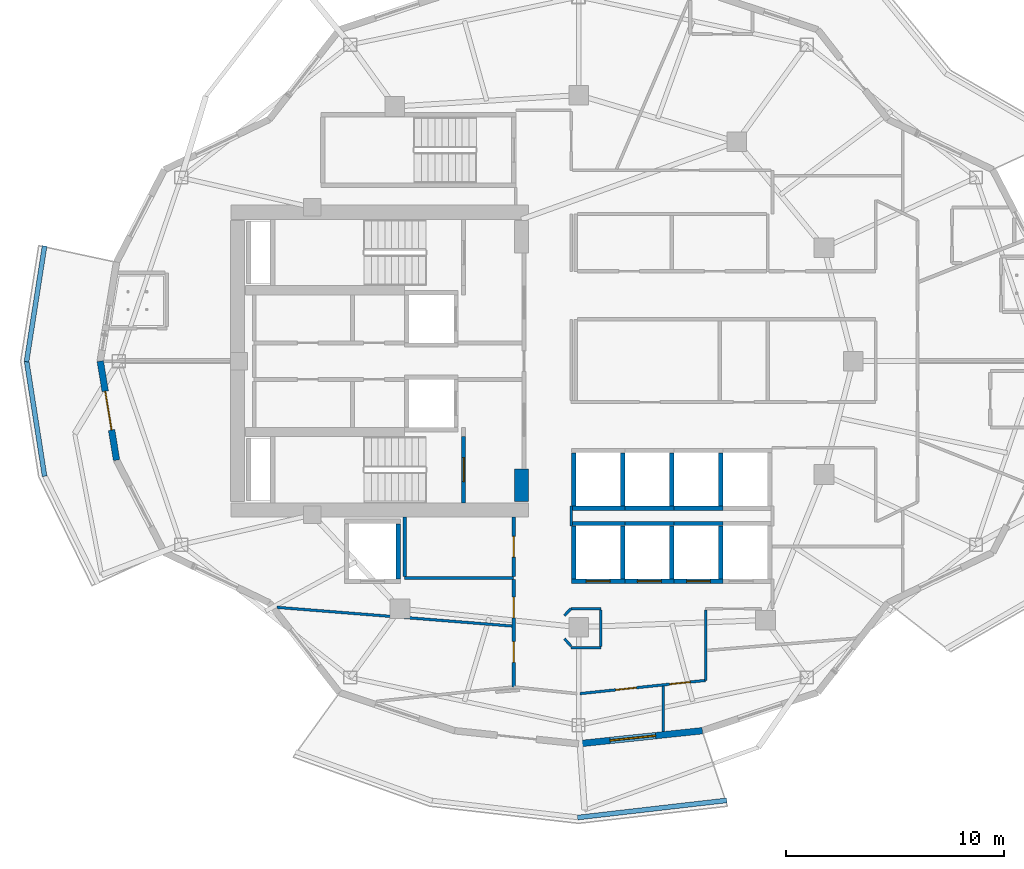
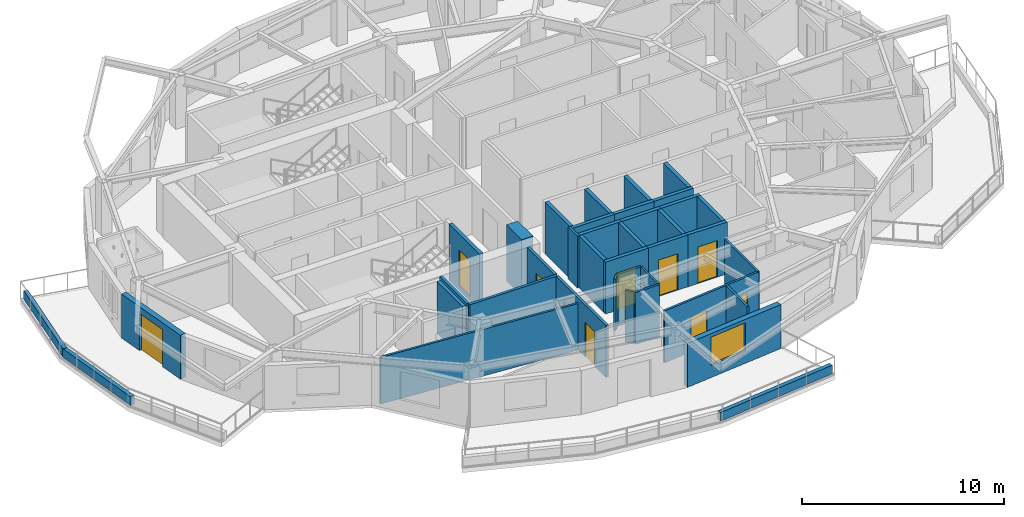
# One storey, part 3 of 13: 39 walls, 10 doors, 1 window, 11 openings.
"""IFC4 building model written with IfcOpenShell, lengths in metres."""

from ifc_helpers import new_model, si_unit, direction, frame, frame_2d, origin, place, context, subcontext, project, spatial, rectangle, extrude, material, layer, layer_set, type_object, element, fill, save


model = new_model("IFC4")

# Units and contexts
model_context = context("Model", 3, precision=1e-05, world=origin(), true_north=direction((0.0, 1.0)))
body_context = subcontext(model_context, "Body", "Model", "MODEL_VIEW")
ifc_project = project(units=[si_unit("LENGTHUNIT", "METRE"), si_unit("AREAUNIT", "SQUARE_METRE"), si_unit("VOLUMEUNIT", "CUBIC_METRE"), si_unit("PLANEANGLEUNIT", "RADIAN"), si_unit("MASSUNIT", "GRAM", prefix="KILO")], contexts=[model_context])

# Site, building, storey
site_placement = place(None, origin())
site = spatial("IfcSite", under=ifc_project, at=site_placement, CompositionType="ELEMENT")
building_placement = place(site_placement, origin())
building = spatial("IfcBuilding", under=site, at=building_placement, Name="Kolvaren Gate Tower and Convention Centre", CompositionType="ELEMENT")
storey_placement = place(building_placement, frame((0.0, 0.0, 166.5)))
storey = spatial("IfcBuildingStorey", under=building, at=storey_placement, Name="L43", CompositionType="ELEMENT", Elevation=166.5)

# Walls
ifc_material_1 = material(Name="Fire-Rated Acoustic Gypsum Stud Partition", Category="gypsum")
ifc_layer_1 = layer(ifc_material_1, 0.1201171875)
ifc_layer_set_1 = layer_set([ifc_layer_1], Name="Fire-Rated Acoustic Gypsum Stud Partition")
wall_type_1 = type_object("IfcWallType", Name="ARCH-WL-PART-120", PredefinedType="PARTITIONING", material=ifc_layer_set_1)
wall_1_placement = place(storey_placement, frame((29.780029296875, 15.64990234375, 0.0), z_axis=(0.0, 0.0, 1.0), x_axis=(1.0, 0.0, 0.0)))
element("IfcWall", 1, at=wall_1_placement, inside=storey, type_object=wall_type_1, Name="Interior Partition WL-L43-INT-025", PredefinedType="PARTITIONING", context=body_context, shape_type="SweptSolid", body=[
    extrude(rectangle(XDim=1.369873046875, YDim=0.1201171875, at=frame_2d((0.68505859375, 0.0))), origin(), (0.0, 0.0, 1.0), 3.1298828125),
])
wall_2_placement = place(storey_placement, frame((35.949951171875, 12.35595703125, 0.0), z_axis=(0.0, 0.0, 1.0), x_axis=(0.0, 1.0, 0.0)))
element("IfcWall", 2, at=wall_2_placement, inside=storey, type_object=wall_type_1, Name="Interior Partition WL-L43-INT-027", PredefinedType="PARTITIONING", context=body_context, shape_type="SweptSolid", body=[
    extrude(rectangle(XDim=3.23193359375, YDim=0.1201171875, at=frame_2d((1.615966796875, 0.0))), origin(), (0.0, 0.0, 1.0), 3.1298828125),
])

# Wall, openings, doors
wall_3_placement = place(storey_placement, frame((30.195068359375, 11.75, 0.0), z_axis=(0.0, 0.0, 1.0), x_axis=(0.994502215954, 0.104715531139, 0.0)))
wall_3 = element("IfcWall", 3, at=wall_3_placement, inside=storey, type_object=wall_type_1, Name="Interior Partition WL-L43-INT-028", PredefinedType="PARTITIONING", context=body_context, shape_type="SweptSolid", body=[
    extrude(rectangle(XDim=5.78662109375, YDim=0.1201171875, at=frame_2d((2.893310546875, 0.0))), origin(), (0.0, 0.0, 1.0), 3.1298828125),
])
opening_1_placement = place(wall_3_placement, frame((1.643798828125, 0.0, 0.0)))
opening_1 = element("IfcOpeningElement", 4, at=opening_1_placement, cuts=wall_3, Name="Opening DR-01", PredefinedType="OPENING", context=body_context, shape_type="SweptSolid", body=[
    extrude(rectangle(XDim=0.949951171875, YDim=2.10009765625, at=frame_2d((0.47509765625, 1.050048828125))), frame((0.0, 0.070068359375, 0.0), z_axis=(0.0, -1.0, 0.0), x_axis=(1.0, 0.0, 0.0)), (0.0, 0.0, 1.0), 0.14013671875),
])
opening_2_placement = place(wall_3_placement, frame((4.125732421875, 0.0, 0.0)))
opening_2 = element("IfcOpeningElement", 5, at=opening_2_placement, cuts=wall_3, Name="Opening DR-01", PredefinedType="OPENING", context=body_context, shape_type="SweptSolid", body=[
    extrude(rectangle(XDim=0.949951171875, YDim=2.10009765625, at=frame_2d((0.47509765625, 1.050048828125))), frame((0.0, 0.070068359375, 0.0), z_axis=(0.0, -1.0, 0.0), x_axis=(1.0, 0.0, 0.0)), (0.0, 0.0, 1.0), 0.14013671875),
])
ifc_material_2 = material(Name="Painted Architectural Steelwork ASTM A500 Grade C 345 MPa", Category="steel")
door_type_1 = type_object("IfcDoorType", Name="ARCH-DR-RISER-950", OperationType="SINGLE_SWING_RIGHT", PredefinedType="DOOR", material=ifc_material_2)
door_1_placement = place(opening_1_placement, origin())
door_1 = element("IfcDoor", 6, at=door_1_placement, inside=storey, type_object=door_type_1, Name="Luxury Retail Boutique Door", OperationType="SINGLE_SWING_RIGHT", OverallHeight=2.10009765625, OverallWidth=0.949951171875, PredefinedType="DOOR", context=body_context, shape_type="SweptSolid", body=[
    extrude(rectangle(XDim=0.949951171875, YDim=2.10009765625, at=frame_2d((0.47509765625, 1.050048828125))), frame((0.0, 0.02490234375, 0.0), z_axis=(0.0, -1.0, 0.0), x_axis=(1.0, 0.0, 0.0)), (0.0, 0.0, 1.0), 0.050048828125),
])
fill(opening_1, door_1)
door_2_placement = place(opening_2_placement, origin())
door_2 = element("IfcDoor", 7, at=door_2_placement, inside=storey, type_object=door_type_1, Name="Luxury Retail Boutique Door", OperationType="SINGLE_SWING_LEFT", OverallHeight=2.10009765625, OverallWidth=0.949951171875, PredefinedType="DOOR", context=body_context, shape_type="SweptSolid", body=[
    extrude(rectangle(XDim=0.949951171875, YDim=2.10009765625, at=frame_2d((0.47509765625, 1.050048828125))), frame((0.0, 0.02490234375, 0.0), z_axis=(0.0, -1.0, 0.0), x_axis=(1.0, 0.0, 0.0)), (0.0, 0.0, 1.0), 0.050048828125),
])
fill(opening_2, door_2)

# Walls
wall_4_placement = place(storey_placement, frame((29.780029296875, 19.43994140625, 0.0), z_axis=(0.0, 0.0, 1.0), x_axis=(0.0, 1.0, 0.0)))
element("IfcWall", 8, at=wall_4_placement, inside=storey, type_object=wall_type_1, Name="Interior Partition WL-L43-INT-032", PredefinedType="PARTITIONING", context=body_context, shape_type="SweptSolid", body=[
    extrude(rectangle(XDim=0.920166015625, YDim=0.1201171875, at=frame_2d((0.4599609375, 0.0))), origin(), (0.0, 0.0, 1.0), 3.1298828125),
])
wall_5_placement = place(storey_placement, frame((29.47607421875, 15.3330078125, 0.0), z_axis=(0.0, 0.0, 1.0), x_axis=(0.692219273951, 0.721687243043, 0.0)))
element("IfcWall", 9, at=wall_5_placement, inside=storey, type_object=wall_type_1, Name="Interior Partition WL-L43-INT-044", PredefinedType="PARTITIONING", context=body_context, shape_type="SweptSolid", body=[
    extrude(rectangle(XDim=0.439208984375, YDim=0.1201171875, at=frame_2d((0.2197265625, 0.0))), origin(), (0.0, 0.0, 1.0), 3.1298828125),
])
wall_6_placement = place(storey_placement, frame((29.47607421875, 14.26708984375, 0.0), z_axis=(0.0, 0.0, 1.0), x_axis=(0.670659392016, -0.741765448037, 0.0)))
element("IfcWall", 10, at=wall_6_placement, inside=storey, type_object=wall_type_1, Name="Interior Partition WL-L43-INT-045", PredefinedType="PARTITIONING", context=body_context, shape_type="SweptSolid", body=[
    extrude(rectangle(XDim=0.453125, YDim=0.1201171875, at=frame_2d((0.2265625, 0.0))), origin(), (0.0, 0.0, 1.0), 3.1298828125),
])
wall_7_placement = place(storey_placement, frame((29.780029296875, 13.85009765625, 0.0), z_axis=(0.0, 0.0, 1.0), x_axis=(1.0, 0.0, 0.0)))
element("IfcWall", 11, at=wall_7_placement, inside=storey, type_object=wall_type_1, Name="Interior Partition WL-L43-INT-046", PredefinedType="PARTITIONING", context=body_context, shape_type="SweptSolid", body=[
    extrude(rectangle(XDim=1.369873046875, YDim=0.1201171875, at=frame_2d((0.68505859375, 0.0))), origin(), (0.0, 0.0, 1.0), 3.1298828125),
])
wall_8_placement = place(storey_placement, frame((31.14990234375, 13.912109375, 0.0), z_axis=(0.0, 0.0, 1.0), x_axis=(0.0, 1.0, 0.0)))
element("IfcWall", 12, at=wall_8_placement, inside=storey, type_object=wall_type_1, Name="Interior Partition WL-L43-INT-047", PredefinedType="PARTITIONING", context=body_context, shape_type="SweptSolid", body=[
    extrude(rectangle(XDim=1.67578125, YDim=0.1201171875, at=frame_2d((0.837890625, 0.0))), origin(), (0.0, 0.0, 1.0), 3.1298828125),
])
wall_9_placement = place(storey_placement, frame((16.29150390625, 15.707275390625, 0.0), z_axis=(0.0, 0.0, 1.0), x_axis=(0.996854418562, -0.079254452199, 0.0)))
element("IfcWall", 13, at=wall_9_placement, inside=storey, type_object=wall_type_1, Name="Interior Partition WL-L43-INT-050", PredefinedType="PARTITIONING", context=body_context, shape_type="SweptSolid", body=[
    extrude(rectangle(XDim=10.8154296875, YDim=0.1201171875, at=frame_2d((5.40771484375, 0.0))), origin(), (0.0, 0.0, 1.0), 2.81201171875),
])
wall_10_placement = place(storey_placement, frame((34.0, 10.010986328125, 0.0), z_axis=(0.0, 0.0, 1.0), x_axis=(0.0, 1.0, 0.0)))
element("IfcWall", 14, at=wall_10_placement, inside=storey, type_object=wall_type_1, Name="Interior Partition WL-L43-INT-053", PredefinedType="PARTITIONING", context=body_context, shape_type="SweptSolid", body=[
    extrude(rectangle(XDim=2.077392578125, YDim=0.1201171875, at=frame_2d((1.03857421875, 0.0))), origin(), (0.0, 0.0, 1.0), 3.1298828125),
])
ifc_material_3 = material(Name="Piedmont Cream Honed Limestone Cladding", Category="masonry")
ifc_layer_2 = layer(ifc_material_3, 0.219970703125)
ifc_layer_set_2 = layer_set([ifc_layer_2], Name="Piedmont Cream Honed Limestone Cladding")
wall_type_2 = type_object("IfcWallType", Name="ARCH-WL-PLANTER-220", PredefinedType="PARAPET", material=ifc_layer_set_2)
for number, where, z_axis, x_axis, name in (
    (15, (4.805908203125, 26.970703125, 0.0), (0.0, 0.0, 1.0), (0.154245214003, 0.988032597619, 0.0), "Vertical-Forest Balcony Stone Planter Kerb PK-L43-2.1"),
    (16, (4.805908203125, 27.029296875, 0.0), (0.0, 0.0, 1.0), (0.154245214003, -0.988032597619, 0.0), "Vertical-Forest Balcony Stone Planter Kerb PK-L43-2.2"),
):
    element("IfcWall", number, at=place(storey_placement, frame(where, z_axis=z_axis, x_axis=x_axis)), inside=storey, type_object=wall_type_2, Name=name, PredefinedType="PARAPET", context=body_context, shape_type="SweptSolid", body=[
        extrude(rectangle(XDim=5.37353515625, YDim=0.219970703125, at=frame_2d((2.686767578125, 0.0))), origin(), (0.0, 0.0, 1.0), 0.52001953125),
    ])
wall_11_placement = place(storey_placement, frame((30.07958984375, 6.06640625, 0.0), z_axis=(0.0, 0.0, 1.0), x_axis=(0.993440576506, 0.114349555972, 0.0)))
element("IfcWall", 17, at=wall_11_placement, inside=storey, type_object=wall_type_2, Name="Vertical-Forest Balcony Stone Planter Kerb PK-L43-3.3", PredefinedType="PARAPET", context=body_context, shape_type="SweptSolid", body=[
    extrude(rectangle(XDim=6.885498046875, YDim=0.219970703125, at=frame_2d((3.44287109375, 0.0))), origin(), (0.0, 0.0, 1.0), 0.52001953125),
])
ifc_material_4 = material(Name="Autoclaved Aerated Masonry Blockwork Class 4 (4.0 MPa)", Category="masonry")
ifc_layer_3 = layer(ifc_material_4, 0.199951171875)
ifc_layer_set_3 = layer_set([ifc_layer_3], Name="Autoclaved Aerated Masonry Blockwork Class 4 (4.0 MPa)")
wall_type_3 = type_object("IfcWallType", Name="ARCH-WL-SHAFT-200", PredefinedType="SOLIDWALL", material=ifc_layer_set_3)
wall_12_placement = place(storey_placement, frame((21.85009765625, 17.010009765625, 0.0), z_axis=(0.0, 0.0, 1.0), x_axis=(0.0, 1.0, 0.0)))
element("IfcWall", 18, at=wall_12_placement, inside=storey, type_object=wall_type_3, Name="Elevator SV-01 L43 Fire Shaft Wall E", PredefinedType="SOLIDWALL", context=body_context, shape_type="SweptSolid", body=[
    extrude(rectangle(XDim=2.530029296875, YDim=0.199951171875, at=frame_2d((1.26513671875, 0.0))), origin(), (0.0, 0.0, 1.0), 3.1298828125),
])
wall_13_placement = place(storey_placement, frame((29.800048828125, 19.550048828125, 0.0), z_axis=(0.0, 0.0, 1.0), x_axis=(1.0, 0.0, 0.0)))
element("IfcWall", 19, at=wall_13_placement, inside=storey, type_object=wall_type_3, Name="Elevator PL-05 L43 Fire Shaft Wall N", PredefinedType="SOLIDWALL", context=body_context, shape_type="SweptSolid", body=[
    extrude(rectangle(XDim=2.449951171875, YDim=0.199951171875, at=frame_2d((1.22509765625, 0.0))), origin(), (0.0, 0.0, 1.0), 3.1298828125),
])

# Wall, opening, door
wall_14_placement = place(storey_placement, frame((29.800048828125, 16.89990234375, 0.0), z_axis=(0.0, 0.0, 1.0), x_axis=(1.0, 0.0, 0.0)))
wall_14 = element("IfcWall", 20, at=wall_14_placement, inside=storey, type_object=wall_type_3, Name="Elevator PL-05 L43 Fire Shaft Wall S", PredefinedType="SOLIDWALL", context=body_context, shape_type="SweptSolid", body=[
    extrude(rectangle(XDim=2.449951171875, YDim=0.199951171875, at=frame_2d((1.22509765625, 0.0))), origin(), (0.0, 0.0, 1.0), 3.1298828125),
])
opening_3_placement = place(wall_14_placement, frame((0.675048828125, 0.0, 0.0)))
opening_3 = element("IfcOpeningElement", 21, at=opening_3_placement, cuts=wall_14, Name="Opening LD", PredefinedType="OPENING", context=body_context, shape_type="SweptSolid", body=[
    extrude(rectangle(XDim=1.10009765625, YDim=2.199951171875, at=frame_2d((0.550048828125, 1.10009765625))), frame((0.0, 0.10986328125, 0.0), z_axis=(0.0, -1.0, 0.0), x_axis=(1.0, 0.0, 0.0)), (0.0, 0.0, 1.0), 0.219970703125),
])
ifc_material_5 = material(Name="Brushed Stainless Steel Grade 316L", Category="steel")
door_type_2 = type_object("IfcDoorType", Name="ARCH-DR-LIFT-1100", OperationType="SLIDING_TO_LEFT", PredefinedType="DOOR", material=ifc_material_5)
door_3_placement = place(opening_3_placement, origin())
door_3 = element("IfcDoor", 22, at=door_3_placement, inside=storey, type_object=door_type_2, Name="Elevator PL-05 L43 Sliding Landing Door", OperationType="SLIDING_TO_LEFT", OverallHeight=2.199951171875, OverallWidth=1.10009765625, PredefinedType="DOOR", context=body_context, shape_type="SweptSolid", body=[
    extrude(rectangle(XDim=1.10009765625, YDim=2.199951171875, at=frame_2d((0.550048828125, 1.10009765625))), frame((0.0, 0.02490234375, 0.0), z_axis=(0.0, -1.0, 0.0), x_axis=(1.0, 0.0, 0.0)), (0.0, 0.0, 1.0), 0.050048828125),
])
fill(opening_3, door_3)

# Walls
for number, where, z_axis, x_axis, name in (
    (23, (29.89990234375, 17.010009765625, 0.0), (0.0, 0.0, 1.0), (0.0, 1.0, 0.0), "Elevator PL-05 L43 Fire Shaft Wall W"),
    (24, (32.14990234375, 17.010009765625, 0.0), (0.0, 0.0, 1.0), (0.0, 1.0, 0.0), "Elevator PL-05 L43 Fire Shaft Wall E"),
):
    element("IfcWall", number, at=place(storey_placement, frame(where, z_axis=z_axis, x_axis=x_axis)), inside=storey, type_object=wall_type_3, Name=name, PredefinedType="SOLIDWALL", context=body_context, shape_type="SweptSolid", body=[
        extrude(rectangle(XDim=2.429931640625, YDim=0.199951171875, at=frame_2d((1.21484375, 0.0))), origin(), (0.0, 0.0, 1.0), 3.1298828125),
    ])
wall_15_placement = place(storey_placement, frame((32.25, 19.550048828125, 0.0), z_axis=(0.0, 0.0, 1.0), x_axis=(1.0, 0.0, 0.0)))
element("IfcWall", 25, at=wall_15_placement, inside=storey, type_object=wall_type_3, Name="Elevator PL-06 L43 Fire Shaft Wall N", PredefinedType="SOLIDWALL", context=body_context, shape_type="SweptSolid", body=[
    extrude(rectangle(XDim=2.25, YDim=0.199951171875, at=frame_2d((1.125, 0.0))), origin(), (0.0, 0.0, 1.0), 3.1298828125),
])

# Wall, opening, door
wall_16_placement = place(storey_placement, frame((32.25, 16.89990234375, 0.0), z_axis=(0.0, 0.0, 1.0), x_axis=(1.0, 0.0, 0.0)))
wall_16 = element("IfcWall", 26, at=wall_16_placement, inside=storey, type_object=wall_type_3, Name="Elevator PL-06 L43 Fire Shaft Wall S", PredefinedType="SOLIDWALL", context=body_context, shape_type="SweptSolid", body=[
    extrude(rectangle(XDim=2.25, YDim=0.199951171875, at=frame_2d((1.125, 0.0))), origin(), (0.0, 0.0, 1.0), 3.1298828125),
])
opening_4_placement = place(wall_16_placement, frame((0.574951171875, 0.0, 0.0)))
opening_4 = element("IfcOpeningElement", 27, at=opening_4_placement, cuts=wall_16, Name="Opening LD", PredefinedType="OPENING", context=body_context, shape_type="SweptSolid", body=[
    extrude(rectangle(XDim=1.10009765625, YDim=2.199951171875, at=frame_2d((0.550048828125, 1.10009765625))), frame((0.0, 0.10986328125, 0.0), z_axis=(0.0, -1.0, 0.0), x_axis=(1.0, 0.0, 0.0)), (0.0, 0.0, 1.0), 0.219970703125),
])
door_4_placement = place(opening_4_placement, origin())
door_4 = element("IfcDoor", 28, at=door_4_placement, inside=storey, type_object=door_type_2, Name="Elevator PL-06 L43 Sliding Landing Door", OperationType="SLIDING_TO_LEFT", OverallHeight=2.199951171875, OverallWidth=1.10009765625, PredefinedType="DOOR", context=body_context, shape_type="SweptSolid", body=[
    extrude(rectangle(XDim=1.10009765625, YDim=2.199951171875, at=frame_2d((0.550048828125, 1.10009765625))), frame((0.0, 0.02490234375, 0.0), z_axis=(0.0, -1.0, 0.0), x_axis=(1.0, 0.0, 0.0)), (0.0, 0.0, 1.0), 0.050048828125),
])
fill(opening_4, door_4)

# Walls
wall_17_placement = place(storey_placement, frame((34.39990234375, 17.010009765625, 0.0), z_axis=(0.0, 0.0, 1.0), x_axis=(0.0, 1.0, 0.0)))
element("IfcWall", 29, at=wall_17_placement, inside=storey, type_object=wall_type_3, Name="Elevator PL-06 L43 Fire Shaft Wall E", PredefinedType="SOLIDWALL", context=body_context, shape_type="SweptSolid", body=[
    extrude(rectangle(XDim=2.429931640625, YDim=0.199951171875, at=frame_2d((1.21484375, 0.0))), origin(), (0.0, 0.0, 1.0), 3.1298828125),
])
wall_18_placement = place(storey_placement, frame((34.5, 19.550048828125, 0.0), z_axis=(0.0, 0.0, 1.0), x_axis=(1.0, 0.0, 0.0)))
element("IfcWall", 30, at=wall_18_placement, inside=storey, type_object=wall_type_3, Name="Elevator PL-07 L43 Fire Shaft Wall N", PredefinedType="SOLIDWALL", context=body_context, shape_type="SweptSolid", body=[
    extrude(rectangle(XDim=2.25, YDim=0.199951171875, at=frame_2d((1.125, 0.0))), origin(), (0.0, 0.0, 1.0), 3.1298828125),
])

# Wall, opening, door
wall_19_placement = place(storey_placement, frame((34.5, 16.89990234375, 0.0), z_axis=(0.0, 0.0, 1.0), x_axis=(1.0, 0.0, 0.0)))
wall_19 = element("IfcWall", 31, at=wall_19_placement, inside=storey, type_object=wall_type_3, Name="Elevator PL-07 L43 Fire Shaft Wall S", PredefinedType="SOLIDWALL", context=body_context, shape_type="SweptSolid", body=[
    extrude(rectangle(XDim=2.25, YDim=0.199951171875, at=frame_2d((1.125, 0.0))), origin(), (0.0, 0.0, 1.0), 3.1298828125),
])
opening_5_placement = place(wall_19_placement, frame((0.574951171875, 0.0, 0.0)))
opening_5 = element("IfcOpeningElement", 32, at=opening_5_placement, cuts=wall_19, Name="Opening LD", PredefinedType="OPENING", context=body_context, shape_type="SweptSolid", body=[
    extrude(rectangle(XDim=1.10009765625, YDim=2.199951171875, at=frame_2d((0.550048828125, 1.10009765625))), frame((0.0, 0.10986328125, 0.0), z_axis=(0.0, -1.0, 0.0), x_axis=(1.0, 0.0, 0.0)), (0.0, 0.0, 1.0), 0.219970703125),
])
door_5_placement = place(opening_5_placement, origin())
door_5 = element("IfcDoor", 33, at=door_5_placement, inside=storey, type_object=door_type_2, Name="Elevator PL-07 L43 Sliding Landing Door", OperationType="SLIDING_TO_LEFT", OverallHeight=2.199951171875, OverallWidth=1.10009765625, PredefinedType="DOOR", context=body_context, shape_type="SweptSolid", body=[
    extrude(rectangle(XDim=1.10009765625, YDim=2.199951171875, at=frame_2d((0.550048828125, 1.10009765625))), frame((0.0, 0.02490234375, 0.0), z_axis=(0.0, -1.0, 0.0), x_axis=(1.0, 0.0, 0.0)), (0.0, 0.0, 1.0), 0.050048828125),
])
fill(opening_5, door_5)

# Walls
wall_20_placement = place(storey_placement, frame((36.64990234375, 17.010009765625, 0.0), z_axis=(0.0, 0.0, 1.0), x_axis=(0.0, 1.0, 0.0)))
element("IfcWall", 34, at=wall_20_placement, inside=storey, type_object=wall_type_3, Name="Elevator PL-07 L43 Fire Shaft Wall E", PredefinedType="SOLIDWALL", context=body_context, shape_type="SweptSolid", body=[
    extrude(rectangle(XDim=2.429931640625, YDim=0.199951171875, at=frame_2d((1.21484375, 0.0))), origin(), (0.0, 0.0, 1.0), 3.1298828125),
])
wall_21_placement = place(storey_placement, frame((29.800048828125, 20.25, 0.0), z_axis=(0.0, 0.0, 1.0), x_axis=(1.0, 0.0, 0.0)))
element("IfcWall", 35, at=wall_21_placement, inside=storey, type_object=wall_type_3, Name="Elevator PL-09 L43 Fire Shaft Wall S", PredefinedType="SOLIDWALL", context=body_context, shape_type="SweptSolid", body=[
    extrude(rectangle(XDim=2.449951171875, YDim=0.199951171875, at=frame_2d((1.22509765625, 0.0))), origin(), (0.0, 0.0, 1.0), 3.1298828125),
])
for number, where, z_axis, x_axis, name in (
    (36, (29.89990234375, 20.360107421875, 0.0), (0.0, 0.0, 1.0), (0.0, 1.0, 0.0), "Elevator PL-09 L43 Fire Shaft Wall W"),
    (37, (32.14990234375, 20.360107421875, 0.0), (0.0, 0.0, 1.0), (0.0, 1.0, 0.0), "Elevator PL-09 L43 Fire Shaft Wall E"),
):
    element("IfcWall", number, at=place(storey_placement, frame(where, z_axis=z_axis, x_axis=x_axis)), inside=storey, type_object=wall_type_3, Name=name, PredefinedType="SOLIDWALL", context=body_context, shape_type="SweptSolid", body=[
        extrude(rectangle(XDim=2.429931640625, YDim=0.199951171875, at=frame_2d((1.21484375, 0.0))), origin(), (0.0, 0.0, 1.0), 3.1298828125),
    ])
wall_22_placement = place(storey_placement, frame((32.25, 20.25, 0.0), z_axis=(0.0, 0.0, 1.0), x_axis=(1.0, 0.0, 0.0)))
element("IfcWall", 38, at=wall_22_placement, inside=storey, type_object=wall_type_3, Name="Elevator PL-10 L43 Fire Shaft Wall S", PredefinedType="SOLIDWALL", context=body_context, shape_type="SweptSolid", body=[
    extrude(rectangle(XDim=2.25, YDim=0.199951171875, at=frame_2d((1.125, 0.0))), origin(), (0.0, 0.0, 1.0), 3.1298828125),
])
wall_23_placement = place(storey_placement, frame((34.39990234375, 20.360107421875, 0.0), z_axis=(0.0, 0.0, 1.0), x_axis=(0.0, 1.0, 0.0)))
element("IfcWall", 39, at=wall_23_placement, inside=storey, type_object=wall_type_3, Name="Elevator PL-10 L43 Fire Shaft Wall E", PredefinedType="SOLIDWALL", context=body_context, shape_type="SweptSolid", body=[
    extrude(rectangle(XDim=2.429931640625, YDim=0.199951171875, at=frame_2d((1.21484375, 0.0))), origin(), (0.0, 0.0, 1.0), 3.1298828125),
])
wall_24_placement = place(storey_placement, frame((34.5, 20.25, 0.0), z_axis=(0.0, 0.0, 1.0), x_axis=(1.0, 0.0, 0.0)))
element("IfcWall", 40, at=wall_24_placement, inside=storey, type_object=wall_type_3, Name="Elevator PL-11 L43 Fire Shaft Wall S", PredefinedType="SOLIDWALL", context=body_context, shape_type="SweptSolid", body=[
    extrude(rectangle(XDim=2.25, YDim=0.199951171875, at=frame_2d((1.125, 0.0))), origin(), (0.0, 0.0, 1.0), 3.1298828125),
])
wall_25_placement = place(storey_placement, frame((36.64990234375, 20.360107421875, 0.0), z_axis=(0.0, 0.0, 1.0), x_axis=(0.0, 1.0, 0.0)))
element("IfcWall", 41, at=wall_25_placement, inside=storey, type_object=wall_type_3, Name="Elevator PL-11 L43 Fire Shaft Wall E", PredefinedType="SOLIDWALL", context=body_context, shape_type="SweptSolid", body=[
    extrude(rectangle(XDim=2.429931640625, YDim=0.199951171875, at=frame_2d((1.21484375, 0.0))), origin(), (0.0, 0.0, 1.0), 3.1298828125),
])

# Wall, opening, door
ifc_layer_4 = layer(ifc_material_3, 0.300048828125)
ifc_layer_set_4 = layer_set([ifc_layer_4], Name="Piedmont Cream Honed Limestone Cladding")
wall_type_4 = type_object("IfcWallType", Name="ARCH-WL-STONE-300", PredefinedType="SOLIDWALL", material=ifc_layer_set_4)
wall_26_placement = place(storey_placement, frame((8.1875, 27.0, 0.0), z_axis=(0.0, 0.0, 1.0), x_axis=(0.162394765401, -0.986725868806, 0.0)))
wall_26 = element("IfcWall", 42, at=wall_26_placement, inside=storey, type_object=wall_type_4, Name="Tower L43 Honed Stone Spandrel Wall EW-12", PredefinedType="SOLIDWALL", context=body_context, shape_type="SweptSolid", body=[
    extrude(rectangle(XDim=4.603271484375, YDim=0.300048828125, at=frame_2d((2.3017578125, 0.0))), origin(), (0.0, 0.0, 1.0), 2.653076171875),
])
opening_6_placement = place(wall_26_placement, frame((1.402099609375, 0.0, 0.0)))
opening_6 = element("IfcOpeningElement", 43, at=opening_6_placement, cuts=wall_26, Name="Opening DB-01", PredefinedType="OPENING", context=body_context, shape_type="SweptSolid", body=[
    extrude(rectangle(XDim=1.800048828125, YDim=2.25, at=frame_2d((0.89990234375, 1.125))), frame((0.0, 0.159912109375, 0.0), z_axis=(0.0, -1.0, 0.0), x_axis=(1.0, 0.0, 0.0)), (0.0, 0.0, 1.0), 0.320068359375),
])
ifc_material_6 = material(Name="Anodized Architectural Aluminium Alloy 6063-T6", Category="aluminium")
door_type_3 = type_object("IfcDoorType", Name="ARCH-DR-BALC-1800", OperationType="SLIDING_TO_LEFT", PredefinedType="DOOR", material=ifc_material_6)
door_6_placement = place(opening_6_placement, frame((1.800048828125, 0.0, 0.0), z_axis=(0.0, 0.0, 1.0), x_axis=(-1.0, 0.0, 0.0)))
door_6 = element("IfcDoor", 44, at=door_6_placement, inside=storey, type_object=door_type_3, Name="Planted Sky Terrace Access Door DB-L43-12", OperationType="SLIDING_TO_LEFT", OverallHeight=2.25, OverallWidth=1.800048828125, PredefinedType="DOOR", context=body_context, shape_type="SweptSolid", body=[
    extrude(rectangle(XDim=1.800048828125, YDim=2.25, at=frame_2d((0.89990234375, 1.125))), frame((0.0, 0.02490234375, 0.0), z_axis=(0.0, -1.0, 0.0), x_axis=(1.0, 0.0, 0.0)), (0.0, 0.0, 1.0), 0.050048828125),
])
fill(opening_6, door_6)

# Wall, opening, window
wall_27_placement = place(storey_placement, frame((30.125, 9.449951171875, 0.0), z_axis=(0.0, 0.0, 1.0), x_axis=(0.994496545245, 0.104769372887, 0.0)))
wall_27 = element("IfcWall", 45, at=wall_27_placement, inside=storey, type_object=wall_type_4, Name="Tower L43 Honed Stone Spandrel Wall EW-18", PredefinedType="SOLIDWALL", context=body_context, shape_type="SweptSolid", body=[
    extrude(rectangle(XDim=5.709228515625, YDim=0.300048828125, at=frame_2d((2.8544921875, 0.0))), origin(), (0.0, 0.0, 1.0), 2.653076171875),
])
opening_7_placement = place(wall_27_placement, frame((1.449951171875, 0.0, 0.739990234375)))
opening_7 = element("IfcOpeningElement", 46, at=opening_7_placement, cuts=wall_27, Name="Opening W-02", PredefinedType="OPENING", context=body_context, shape_type="SweptSolid", body=[
    extrude(rectangle(XDim=2.10009765625, YDim=1.699951171875, at=frame_2d((1.050048828125, 0.85009765625))), frame((0.0, 0.159912109375, 0.0), z_axis=(0.0, -1.0, 0.0), x_axis=(1.0, 0.0, 0.0)), (0.0, 0.0, 1.0), 0.320068359375),
])
ifc_material_7 = material(Name="Low-E Triple Insulated Glazing Unit 44 mm", Category="glass")
window_type = type_object("IfcWindowType", Name="ARCH-WN-HTL-2100", PartitioningType="SINGLE_PANEL", PredefinedType="WINDOW", material=ifc_material_7)
window_placement = place(opening_7_placement, origin())
window = element("IfcWindow", 47, at=window_placement, inside=storey, type_object=window_type, Name="Tower L43 Punched Stone Facade Window W-18", OverallHeight=1.699951171875, OverallWidth=2.10009765625, PartitioningType="SINGLE_PANEL", PredefinedType="WINDOW", context=body_context, shape_type="SweptSolid", body=[
    extrude(rectangle(XDim=2.10009765625, YDim=1.699951171875, at=frame_2d((1.050048828125, 0.85009765625))), frame((0.0, 0.030029296875, 0.0), z_axis=(0.0, -1.0, 0.0), x_axis=(1.0, 0.0, 0.0)), (0.0, 0.0, 1.0), 0.06005859375),
])
fill(opening_7, window)

# Walls
ifc_material_8 = material(Name="Moisture-Resistant Cement-Board Acoustic Partition", Category="gypsum")
ifc_layer_5 = layer(ifc_material_8, 0.14990234375)
ifc_layer_set_5 = layer_set([ifc_layer_5], Name="Moisture-Resistant Cement-Board Acoustic Partition")
wall_type_5 = type_object("IfcWallType", Name="ARCH-WL-WET-150", PredefinedType="PARTITIONING", material=ifc_layer_set_5)
wall_28_placement = place(storey_placement, frame((22.14990234375, 17.050048828125, 0.0), z_axis=(0.0, 0.0, 1.0), x_axis=(1.0, 0.0, 0.0)))
element("IfcWall", 48, at=wall_28_placement, inside=storey, type_object=wall_type_5, Name="Interior Partition WL-L43-INT-010", PredefinedType="PARTITIONING", context=body_context, shape_type="SweptSolid", body=[
    extrude(rectangle(XDim=5.0, YDim=0.14990234375, at=frame_2d((2.5, 0.0))), origin(), (0.0, 0.0, 1.0), 3.1298828125),
])
wall_29_placement = place(storey_placement, frame((22.14990234375, 17.126953125, 0.0), z_axis=(0.0, 0.0, 1.0), x_axis=(0.0, 1.0, 0.0)))
element("IfcWall", 49, at=wall_29_placement, inside=storey, type_object=wall_type_5, Name="Interior Partition WL-L43-INT-011", PredefinedType="PARTITIONING", context=body_context, shape_type="SweptSolid", body=[
    extrude(rectangle(XDim=2.720947265625, YDim=0.14990234375, at=frame_2d((1.3603515625, 0.0))), origin(), (0.0, 0.0, 1.0), 3.1298828125),
])

# Wall, openings, doors
wall_30_placement = place(storey_placement, frame((27.14990234375, 12.055908203125, 0.0), z_axis=(0.0, 0.0, 1.0), x_axis=(0.0, 1.0, 0.0)))
wall_30 = element("IfcWall", 50, at=wall_30_placement, inside=storey, type_object=wall_type_5, Name="Interior Partition WL-L43-INT-012", PredefinedType="PARTITIONING", context=body_context, shape_type="SweptSolid", body=[
    extrude(rectangle(XDim=4.9169921875, YDim=0.14990234375, at=frame_2d((2.45849609375, 0.0))), origin(), (0.0, 0.0, 1.0), 3.1298828125),
])
opening_8_placement = place(wall_30_placement, frame((3.172119140625, 0.0, 0.0)))
opening_8 = element("IfcOpeningElement", 51, at=opening_8_placement, cuts=wall_30, Name="Opening DR-01", PredefinedType="OPENING", context=body_context, shape_type="SweptSolid", body=[
    extrude(rectangle(XDim=0.949951171875, YDim=2.10009765625, at=frame_2d((0.47509765625, 1.050048828125))), frame((0.0, 0.0849609375, 0.0), z_axis=(0.0, -1.0, 0.0), x_axis=(1.0, 0.0, 0.0)), (0.0, 0.0, 1.0), 0.169921875),
])
opening_9_placement = place(wall_30_placement, frame((1.12451171875, 0.0, 0.0)))
opening_9 = element("IfcOpeningElement", 52, at=opening_9_placement, cuts=wall_30, Name="Opening DR-01", PredefinedType="OPENING", context=body_context, shape_type="SweptSolid", body=[
    extrude(rectangle(XDim=0.949951171875, YDim=2.10009765625, at=frame_2d((0.47509765625, 1.050048828125))), frame((0.0, 0.0849609375, 0.0), z_axis=(0.0, -1.0, 0.0), x_axis=(1.0, 0.0, 0.0)), (0.0, 0.0, 1.0), 0.169921875),
])
door_7_placement = place(opening_8_placement, origin())
door_7 = element("IfcDoor", 53, at=door_7_placement, inside=storey, type_object=door_type_1, Name="Luxury Retail Boutique Door", OperationType="SINGLE_SWING_RIGHT", OverallHeight=2.10009765625, OverallWidth=0.949951171875, PredefinedType="DOOR", context=body_context, shape_type="SweptSolid", body=[
    extrude(rectangle(XDim=0.949951171875, YDim=2.10009765625, at=frame_2d((0.47509765625, 1.050048828125))), frame((0.0, 0.02490234375, 0.0), z_axis=(0.0, -1.0, 0.0), x_axis=(1.0, 0.0, 0.0)), (0.0, 0.0, 1.0), 0.050048828125),
])
fill(opening_8, door_7)
door_8_placement = place(opening_9_placement, origin())
door_8 = element("IfcDoor", 54, at=door_8_placement, inside=storey, type_object=door_type_1, Name="Luxury Retail Boutique Door", OperationType="SINGLE_SWING_LEFT", OverallHeight=2.10009765625, OverallWidth=0.949951171875, PredefinedType="DOOR", context=body_context, shape_type="SweptSolid", body=[
    extrude(rectangle(XDim=0.949951171875, YDim=2.10009765625, at=frame_2d((0.47509765625, 1.050048828125))), frame((0.0, 0.02490234375, 0.0), z_axis=(0.0, -1.0, 0.0), x_axis=(1.0, 0.0, 0.0)), (0.0, 0.0, 1.0), 0.050048828125),
])
fill(opening_9, door_8)

# Wall, opening, door
wall_31_placement = place(storey_placement, frame((27.14990234375, 17.126953125, 0.0), z_axis=(0.0, 0.0, 1.0), x_axis=(0.0, 1.0, 0.0)))
wall_31 = element("IfcWall", 55, at=wall_31_placement, inside=storey, type_object=wall_type_5, Name="Interior Partition WL-L43-INT-012 (2)", PredefinedType="PARTITIONING", context=body_context, shape_type="SweptSolid", body=[
    extrude(rectangle(XDim=2.720947265625, YDim=0.14990234375, at=frame_2d((1.3603515625, 0.0))), origin(), (0.0, 0.0, 1.0), 3.1298828125),
])
opening_10_placement = place(wall_31_placement, frame((0.885498046875, 0.0, 0.0)))
opening_10 = element("IfcOpeningElement", 56, at=opening_10_placement, cuts=wall_31, Name="Opening DR-01", PredefinedType="OPENING", context=body_context, shape_type="SweptSolid", body=[
    extrude(rectangle(XDim=0.949951171875, YDim=2.10009765625, at=frame_2d((0.47509765625, 1.050048828125))), frame((0.0, 0.0849609375, 0.0), z_axis=(0.0, -1.0, 0.0), x_axis=(1.0, 0.0, 0.0)), (0.0, 0.0, 1.0), 0.169921875),
])
door_9_placement = place(opening_10_placement, origin())
door_9 = element("IfcDoor", 57, at=door_9_placement, inside=storey, type_object=door_type_1, Name="West Linen and Supply Store Door", OperationType="SINGLE_SWING_LEFT", OverallHeight=2.10009765625, OverallWidth=0.949951171875, PredefinedType="DOOR", context=body_context, shape_type="SweptSolid", body=[
    extrude(rectangle(XDim=0.949951171875, YDim=2.10009765625, at=frame_2d((0.47509765625, 1.050048828125))), frame((0.0, 0.02490234375, 0.0), z_axis=(0.0, -1.0, 0.0), x_axis=(1.0, 0.0, 0.0)), (0.0, 0.0, 1.0), 0.050048828125),
])
fill(opening_10, door_9)

# Wall
ifc_material_9 = material(Name="Concrete C60/75", Category="concrete")
ifc_layer_6 = layer(ifc_material_9, 0.64990234375)
ifc_layer_set_6 = layer_set([ifc_layer_6], Name="Concrete C60/75")
wall_type_6 = type_object("IfcWallType", Name="STR-WL-CORE-650", PredefinedType="SHEAR", material=ifc_layer_set_6)
wall_32_placement = place(storey_placement, frame((27.5, 20.550048828125, -0.27001953125), z_axis=(0.0, 0.0, 1.0), x_axis=(0.0, 1.0, 0.0)))
element("IfcWall", 58, at=wall_32_placement, inside=storey, type_object=wall_type_6, Name="Tower L43 Offset Core Shear Wall ES", PredefinedType="SHEAR", context=body_context, shape_type="SweptSolid", body=[
    extrude(rectangle(XDim=1.5, YDim=0.64990234375, at=frame_2d((0.75, 0.0))), origin(), (0.0, 0.0, 1.0), 3.39990234375),
])

# Wall, opening, door
ifc_material_10 = material(Name="Concrete C50/60", Category="concrete")
ifc_layer_7 = layer(ifc_material_10, 0.199951171875)
ifc_layer_set_7 = layer_set([ifc_layer_7], Name="Concrete C50/60")
wall_type_7 = type_object("IfcWallType", Name="STR-WL-SHAFT-200", PredefinedType="SHEAR", material=ifc_layer_set_7)
wall_33_placement = place(storey_placement, frame((24.85009765625, 20.501953125, -0.27001953125), z_axis=(0.0, 0.0, 1.0), x_axis=(0.0, 1.0, 0.0)))
wall_33 = element("IfcWall", 59, at=wall_33_placement, inside=storey, type_object=wall_type_7, Name="Tower South Exit Stair ST-T2 L43 Structural Shear Enclosure Wall NEAR", PredefinedType="SHEAR", context=body_context, shape_type="SweptSolid", body=[
    extrude(rectangle(XDim=3.0380859375, YDim=0.199951171875, at=frame_2d((1.51904296875, 0.0))), origin(), (0.0, 0.0, 1.0), 3.39990234375),
])
opening_11_placement = place(wall_33_placement, frame((0.968994140625, 0.0, 0.27001953125)))
opening_11 = element("IfcOpeningElement", 60, at=opening_11_placement, cuts=wall_33, Name="Opening DS-01", PredefinedType="OPENING", context=body_context, shape_type="SweptSolid", body=[
    extrude(rectangle(XDim=1.10009765625, YDim=2.14990234375, at=frame_2d((0.550048828125, 1.074951171875))), frame((0.0, 0.10986328125, 0.0), z_axis=(0.0, -1.0, 0.0), x_axis=(1.0, 0.0, 0.0)), (0.0, 0.0, 1.0), 0.219970703125),
])
door_type_4 = type_object("IfcDoorType", Name="ARCH-DR-STAIR-1100", OperationType="SINGLE_SWING_LEFT", PredefinedType="DOOR", material=ifc_material_2)
door_10_placement = place(opening_11_placement, origin())
door_10 = element("IfcDoor", 61, at=door_10_placement, inside=storey, type_object=door_type_4, Name="Tower South Exit Stair ST-T2 L43 Fire Exit Stair Door", OperationType="SINGLE_SWING_LEFT", OverallHeight=2.14990234375, OverallWidth=1.10009765625, PredefinedType="DOOR", context=body_context, shape_type="SweptSolid", body=[
    extrude(rectangle(XDim=1.10009765625, YDim=2.14990234375, at=frame_2d((0.550048828125, 1.074951171875))), frame((0.0, 0.02490234375, 0.0), z_axis=(0.0, -1.0, 0.0), x_axis=(1.0, 0.0, 0.0)), (0.0, 0.0, 1.0), 0.050048828125),
])
fill(opening_11, door_10)

save(model, "model.ifc")
